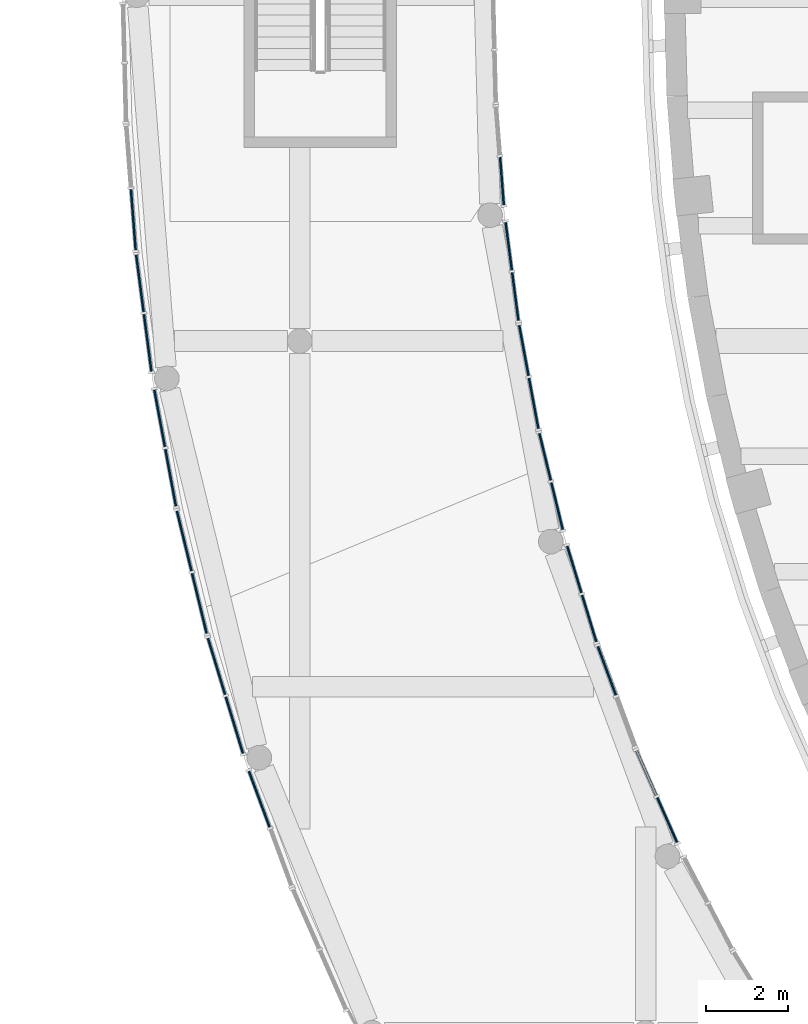
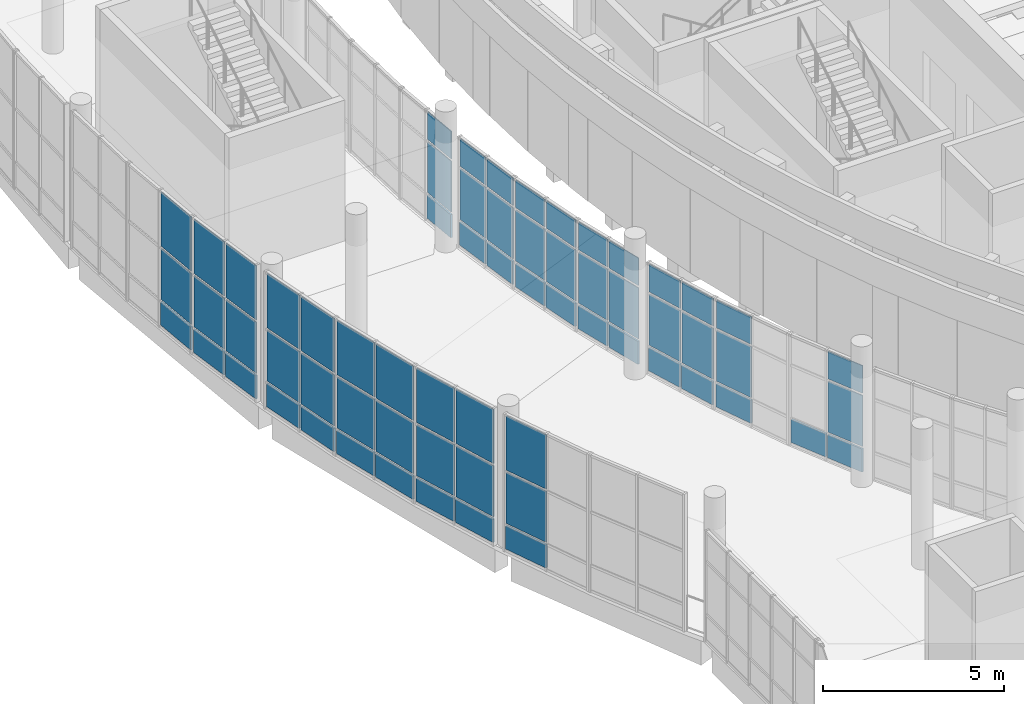
# One storey, part 46 of 119: 64 plates, 13 elements without a shape of their own.
"""IFC4 building model written with IfcOpenShell, lengths in metres."""

import ifcopenshell
import ifcopenshell.guid

model = None  # the IFC model being written
_history = None  # IfcOwnerHistory: only IFC2X3 demands one
_inside = {}  # id of a spatial element -> (the spatial element, [elements in it])
_under = {}  # id of a project, library or spatial element -> (it, [spatial elements below it])
_declared = {}  # id of a project -> (the project, [libraries it declares])
_typed = {}  # id of a type object -> (the type object, [elements of that type])
_made_of = {}  # id of a material, layer set ... -> (it, [elements and type objects made of it])


def new_model(schema):
    """Start an empty IFC model of exactly this schema.

    Asked for "IFC4X3", IfcOpenShell would pick the latest addendum, in which some entities
    have other attributes; the version numbers below select the first issue.
    IFC2X3 requires an IfcOwnerHistory on every rooted entity: one is made here for all.
    """
    global model, _history
    if schema == "IFC4X3":
        model = ifcopenshell.file(schema_version=(4, 3, 0, 0))
    else:
        model = ifcopenshell.file(schema=schema)
    _inside.clear()
    _under.clear()
    _declared.clear()
    _typed.clear()
    _made_of.clear()
    _history = None
    if model.schema == "IFC2X3":
        org = make("IfcOrganization", Name="unknown")
        user = make(
            "IfcPersonAndOrganization",
            ThePerson=make("IfcPerson", FamilyName="unknown"),
            TheOrganization=org,
        )
        app = make(
            "IfcApplication",
            ApplicationDeveloper=org,
            Version="unknown",
            ApplicationFullName="unknown",
            ApplicationIdentifier="unknown",
        )
        _history = make(
            "IfcOwnerHistory",
            OwningUser=user,
            OwningApplication=app,
            ChangeAction="ADDED",
            CreationDate=0,
        )
    return model


def make(cls, **values):
    """One entity of the class cls with the attributes given. An attribute that is None is left unset."""
    return model.create_entity(
        cls, **{name: value for name, value in values.items() if value is not None}
    )


def rooted(cls, **values):
    """An entity with a GlobalId (a new one), such as an element, a storey or a relation."""
    return make(cls, GlobalId=ifcopenshell.guid.new(), OwnerHistory=_history, **values)


def si_unit(unit_type, name, prefix=None):
    """IfcSIUnit, for example si_unit("LENGTHUNIT", "METRE", prefix="MILLI")."""
    return make("IfcSIUnit", UnitType=unit_type, Prefix=prefix, Name=name)


def assignment(units):
    """IfcUnitAssignment: the units of a project."""
    return None if units is None else make("IfcUnitAssignment", Units=units)


def point(xyz):
    """IfcCartesianPoint."""
    return None if xyz is None else make("IfcCartesianPoint", Coordinates=xyz)


def direction(xyz):
    """IfcDirection."""
    return None if xyz is None else make("IfcDirection", DirectionRatios=xyz)


def frame(location, z_axis=None, x_axis=None):
    """IfcAxis2Placement3D, a coordinate frame: its origin and axes. An axis left out is left unset."""
    return make(
        "IfcAxis2Placement3D",
        Location=point(location),
        Axis=direction(z_axis),
        RefDirection=direction(x_axis),
    )


def frame_2d(location, x_axis=None):
    """IfcAxis2Placement2D, a coordinate frame in the plane: its origin and x axis."""
    return make(
        "IfcAxis2Placement2D", Location=point(location), RefDirection=direction(x_axis)
    )


def origin():
    """The frame at (0, 0, 0) with its axes left unset."""
    return frame((0.0, 0.0, 0.0))


def origin_2d():
    """The frame at (0, 0) in the plane with its x axis left unset."""
    return frame_2d((0.0, 0.0))


def place(relative_to, where):
    """IfcLocalPlacement: puts the frame where relative to a parent placement (None: the world)."""
    return make(
        "IfcLocalPlacement", PlacementRelTo=relative_to, RelativePlacement=where
    )


def context(
    kind, dimensions, precision=None, world=None, true_north=None, identifier=None
):
    """IfcGeometricRepresentationContext, for example the 3D "Model" context."""
    return make(
        "IfcGeometricRepresentationContext",
        ContextIdentifier=identifier,
        ContextType=kind,
        CoordinateSpaceDimension=dimensions,
        Precision=precision,
        WorldCoordinateSystem=world,
        TrueNorth=true_north,
    )


def subcontext(parent, identifier, kind, view, scale=None):
    """IfcGeometricRepresentationSubContext, for example "Body" below "Model"."""
    return make(
        "IfcGeometricRepresentationSubContext",
        ContextIdentifier=identifier,
        ContextType=kind,
        ParentContext=parent,
        TargetScale=scale,
        TargetView=view,
    )


def project(units=None, contexts=None):
    """IfcProject with its units and contexts."""
    return rooted(
        "IfcProject",
        Name="project",
        RepresentationContexts=contexts,
        UnitsInContext=assignment(units),
    )


def spatial(cls, under=None, at=None, **own):
    """A site, building, storey or space (cls), placed at a placement, below another one or the project."""
    s = rooted(cls, ObjectPlacement=at, **own)
    if under is not None:
        _under.setdefault(under.id(), (under, []))[1].append(s)
    return s


def profile(cls, at=None, kind="AREA", **sizes):
    """A parametric profile (cls). Its sizes go by their IFC names, for example OverallWidth=200.0."""
    return make(cls, ProfileType=kind, Position=at, **sizes)


def rectangle(**sizes):
    """IfcRectangleProfileDef."""
    return profile("IfcRectangleProfileDef", **sizes)


def extrude(swept, where, along, depth):
    """IfcExtrudedAreaSolid: the profile swept, set in the frame where, extruded along a direction by depth."""
    return make(
        "IfcExtrudedAreaSolid",
        SweptArea=swept,
        Position=where,
        ExtrudedDirection=direction(along),
        Depth=depth,
    )


def shape(context_of_items, identifier, shape_type, items):
    """IfcShapeRepresentation: the items that make up one representation, for example the "Body"."""
    return make(
        "IfcShapeRepresentation",
        ContextOfItems=context_of_items,
        RepresentationIdentifier=identifier,
        RepresentationType=shape_type,
        Items=items,
    )


def material(Name=None, Category=None):
    """IfcMaterial."""
    return make("IfcMaterial", Name=Name, Category=Category)


def layer(
    of_material, thickness, ventilated=None, Name=None, Category=None, Priority=None
):
    """IfcMaterialLayer: one layer of a wall or slab, of a material (None: an air gap)."""
    return make(
        "IfcMaterialLayer",
        Material=of_material,
        LayerThickness=thickness,
        IsVentilated=ventilated,
        Name=Name,
        Category=Category,
        Priority=Priority,
    )


def layer_set(layers, Name=None):
    """IfcMaterialLayerSet."""
    return make("IfcMaterialLayerSet", MaterialLayers=layers, LayerSetName=Name)


def made_of(thing, what):
    """Note that an element or type object is made of a material, layer set ...; save() writes the relation."""
    if what is not None:
        _made_of.setdefault(what.id(), (what, []))[1].append(thing)
    return thing


def type_object(cls, material=None, **own):
    """A type object (cls), such as IfcWallType, which elements share."""
    return made_of(rooted(cls, **own), material)


def element(
    cls,
    number,
    at=None,
    inside=None,
    cuts=None,
    type_object=None,
    material=None,
    context=None,
    identifier="Body",
    shape_type=None,
    held_by="IfcProductDefinitionShape",
    body=None,
    shapes=None,
    **own,
):
    """One element of the class cls, such as IfcWall. Its Tag is "e" and its number.

    at: its placement. inside: the storey or other place that contains it. cuts: it is an
    opening in that element (IfcRelVoidsElement). A single representation is given by context,
    identifier, shape_type and body (its items); several are given by shapes. held_by: the class
    of the entity that holds the representations. save() writes the other relations.
    """
    e = rooted(cls, Tag="e%d" % number, ObjectPlacement=at, **own)
    if body is not None:
        shapes = [shape(context, identifier, shape_type, body)]
    if shapes is not None:
        e.Representation = make(held_by, Representations=shapes)
    if inside is not None:
        _inside.setdefault(inside.id(), (inside, []))[1].append(e)
    if cuts is not None:
        rooted(
            "IfcRelVoidsElement", RelatingBuildingElement=cuts, RelatedOpeningElement=e
        )
    if type_object is not None:
        _typed.setdefault(type_object.id(), (type_object, []))[1].append(e)
    return made_of(e, material)


def aggregate(whole, parts):
    """IfcRelAggregates: a whole, such as a stair, and the parts it consists of."""
    return rooted("IfcRelAggregates", RelatingObject=whole, RelatedObjects=parts)


def save(model, path):
    """Write the relations noted so far, then the file.

    IfcRelAggregates (storeys below a building ...), IfcRelContainedInSpatialStructure (elements
    in a storey), IfcRelDefinesByType, IfcRelAssociatesMaterial and IfcRelDeclares: one each for
    every whole, place, type object, material and project.
    """
    for whole, parts in _under.values():
        aggregate(whole, parts)
    for where, things in _inside.values():
        rooted(
            "IfcRelContainedInSpatialStructure",
            RelatedElements=things,
            RelatingStructure=where,
        )
    for kind, things in _typed.values():
        rooted("IfcRelDefinesByType", RelatedObjects=things, RelatingType=kind)
    for what, things in _made_of.values():
        rooted("IfcRelAssociatesMaterial", RelatedObjects=things, RelatingMaterial=what)
    for by, libraries in _declared.values():
        rooted("IfcRelDeclares", RelatingContext=by, RelatedDefinitions=libraries)
    model.write(path)


model = new_model("IFC4")

# Units and contexts
model_context = context("Model", 3, precision=1e-05, world=origin(), true_north=direction((0.0, 1.0)))
body_context = subcontext(model_context, "Body", "Model", "MODEL_VIEW")
ifc_project = project(units=[si_unit("LENGTHUNIT", "METRE"), si_unit("AREAUNIT", "SQUARE_METRE"), si_unit("VOLUMEUNIT", "CUBIC_METRE"), si_unit("PLANEANGLEUNIT", "RADIAN"), si_unit("MASSUNIT", "GRAM", prefix="KILO")], contexts=[model_context])

# Site, building, storey
site_placement = place(None, origin())
site = spatial("IfcSite", under=ifc_project, at=site_placement, CompositionType="ELEMENT")
building_placement = place(site_placement, origin())
building = spatial("IfcBuilding", under=site, at=building_placement, Name="Larchfold Concert Hall", CompositionType="ELEMENT")
storey_placement = place(building_placement, frame((0.0, 0.0, 4.800048828125)))
storey = spatial("IfcBuildingStorey", under=building, at=storey_placement, Name="L01", CompositionType="ELEMENT", Elevation=4.800048828125)

# Curtain wall, plates
ifc_material_1 = material(Name="Anodised graphite aluminium curtain wall", Category="aluminium")
ifc_layer_1 = layer(ifc_material_1, 0.14990234375)
ifc_layer_set_1 = layer_set([ifc_layer_1], Name="Anodised graphite aluminium curtain wall")
curtain_wall_type = type_object("IfcCurtainWallType", Name="Curtain wall WG", PredefinedType="NOTDEFINED", material=ifc_layer_set_1)
curtain_wall_1_placement = place(storey_placement, origin())
curtain_wall_1 = element("IfcCurtainWall", 1, at=curtain_wall_1_placement, inside=storey, type_object=curtain_wall_type, Name="Curtain wall CW0139", PredefinedType="NOTDEFINED")
ifc_material_2 = material(Name="Insulated glazing unit, glass", Category="glass")
ifc_layer_2 = layer(ifc_material_2, 0.028076171875)
ifc_layer_set_2 = layer_set([ifc_layer_2], Name="Insulated glazing unit, glass")
plate_type_1 = type_object("IfcPlateType", Name="Glass panel 28", PredefinedType="CURTAIN_PANEL", material=ifc_layer_set_2)
plate_1_placement = place(storey_placement, frame((17.924072265625, 64.565673828125, 0.93994140625), z_axis=(0.0, 0.0, 1.0), x_axis=(-0.40402618995, 0.914747417506, 0.0)))
plate_1 = element("IfcPlate", 2, at=plate_1_placement, type_object=plate_type_1, Name="CW0139 panel 1.2", PredefinedType="CURTAIN_PANEL", context=body_context, shape_type="SweptSolid", body=[
    extrude(rectangle(XDim=1.186767578125, YDim=0.028076171875, at=origin_2d()), origin(), (0.0, 0.0, 1.0), 1.719970703125),
])
plate_2_placement = place(storey_placement, frame((17.924072265625, 64.565673828125, 2.740234375), z_axis=(0.0, 0.0, 1.0), x_axis=(-0.40402618995, 0.914747417506, 0.0)))
plate_2 = element("IfcPlate", 3, at=plate_2_placement, type_object=plate_type_1, Name="CW0139 panel 1.3", PredefinedType="CURTAIN_PANEL", context=body_context, shape_type="SweptSolid", body=[
    extrude(rectangle(XDim=1.186767578125, YDim=0.028076171875, at=origin_2d()), origin(), (0.0, 0.0, 1.0), 0.929931640625),
])

curtain_wall_2_placement = place(storey_placement, origin())
curtain_wall_2 = element("IfcCurtainWall", 4, at=curtain_wall_2_placement, inside=storey, type_object=curtain_wall_type, Name="Curtain wall CW0140", PredefinedType="NOTDEFINED")
plate_3_placement = place(storey_placement, frame((16.45947265625, 68.189697265625, 0.93994140625), z_axis=(0.0, 0.0, 1.0), x_axis=(-0.346631119, 0.938001528432, 0.0)))
plate_3 = element("IfcPlate", 5, at=plate_3_placement, type_object=plate_type_1, Name="CW0140 panel 2.2", PredefinedType="CURTAIN_PANEL", context=body_context, shape_type="SweptSolid", body=[
    extrude(rectangle(XDim=1.26025390625, YDim=0.028076171875, at=origin_2d()), origin(), (0.0, 0.0, 1.0), 1.719970703125),
])
plate_4_placement = place(storey_placement, frame((16.45947265625, 68.189697265625, 2.740234375), z_axis=(0.0, 0.0, 1.0), x_axis=(-0.346631119, 0.938001528432, 0.0)))
plate_4 = element("IfcPlate", 6, at=plate_4_placement, type_object=plate_type_1, Name="CW0140 panel 2.3", PredefinedType="CURTAIN_PANEL", context=body_context, shape_type="SweptSolid", body=[
    extrude(rectangle(XDim=1.26025390625, YDim=0.028076171875, at=origin_2d()), origin(), (0.0, 0.0, 1.0), 0.929931640625),
])

curtain_wall_3_placement = place(storey_placement, origin())
curtain_wall_3 = element("IfcCurtainWall", 7, at=curtain_wall_3_placement, inside=storey, type_object=curtain_wall_type, Name="Curtain wall CW0141", PredefinedType="NOTDEFINED")
plate_5_placement = place(storey_placement, frame((16.03076171875, 69.461181640625, 0.93994140625), z_axis=(0.0, 0.0, 1.0), x_axis=(-0.290544233044, 0.956861561902, 0.0)))
plate_5 = element("IfcPlate", 8, at=plate_5_placement, type_object=plate_type_1, Name="CW0141 panel 1.2", PredefinedType="CURTAIN_PANEL", context=body_context, shape_type="SweptSolid", body=[
    extrude(rectangle(XDim=1.184814453125, YDim=0.028076171875, at=origin_2d()), origin(), (0.0, 0.0, 1.0), 1.719970703125),
])
plate_6_placement = place(storey_placement, frame((16.03076171875, 69.461181640625, 2.740234375), z_axis=(0.0, 0.0, 1.0), x_axis=(-0.290544233044, 0.956861561902, 0.0)))
plate_6 = element("IfcPlate", 9, at=plate_6_placement, type_object=plate_type_1, Name="CW0141 panel 1.3", PredefinedType="CURTAIN_PANEL", context=body_context, shape_type="SweptSolid", body=[
    extrude(rectangle(XDim=1.184814453125, YDim=0.028076171875, at=origin_2d()), origin(), (0.0, 0.0, 1.0), 0.929931640625),
])
plate_7_placement = place(storey_placement, frame((15.6689453125, 70.652099609375, 0.93994140625), z_axis=(0.0, 0.0, 1.0), x_axis=(-0.290544233044, 0.956861561902, 0.0)))
plate_7 = element("IfcPlate", 10, at=plate_7_placement, type_object=plate_type_1, Name="CW0141 panel 2.2", PredefinedType="CURTAIN_PANEL", context=body_context, shape_type="SweptSolid", body=[
    extrude(rectangle(XDim=1.184814453125, YDim=0.028076171875, at=origin_2d()), origin(), (0.0, 0.0, 1.0), 1.719970703125),
])
plate_8_placement = place(storey_placement, frame((15.6689453125, 70.652099609375, 2.740234375), z_axis=(0.0, 0.0, 1.0), x_axis=(-0.290544233044, 0.956861561902, 0.0)))
plate_8 = element("IfcPlate", 11, at=plate_8_placement, type_object=plate_type_1, Name="CW0141 panel 2.3", PredefinedType="CURTAIN_PANEL", context=body_context, shape_type="SweptSolid", body=[
    extrude(rectangle(XDim=1.184814453125, YDim=0.028076171875, at=origin_2d()), origin(), (0.0, 0.0, 1.0), 0.929931640625),
])

curtain_wall_4_placement = place(storey_placement, origin())
curtain_wall_4 = element("IfcCurtainWall", 12, at=curtain_wall_4_placement, inside=storey, type_object=curtain_wall_type, Name="Curtain wall CW0142", PredefinedType="NOTDEFINED")
plate_9_placement = place(storey_placement, frame((15.24951171875, 72.18994140625, 0.93994140625), z_axis=(0.0, 0.0, 1.0), x_axis=(-0.235946390347, 0.971766073128, 0.0)))
plate_9 = element("IfcPlate", 13, at=plate_9_placement, type_object=plate_type_1, Name="CW0142 panel 1.2", PredefinedType="CURTAIN_PANEL", context=body_context, shape_type="SweptSolid", body=[
    extrude(rectangle(XDim=1.1708984375, YDim=0.028076171875, at=origin_2d()), origin(), (0.0, 0.0, 1.0), 1.719970703125),
])
plate_10_placement = place(storey_placement, frame((15.24951171875, 72.18994140625, 2.740234375), z_axis=(0.0, 0.0, 1.0), x_axis=(-0.235946390347, 0.971766073128, 0.0)))
plate_10 = element("IfcPlate", 14, at=plate_10_placement, type_object=plate_type_1, Name="CW0142 panel 1.3", PredefinedType="CURTAIN_PANEL", context=body_context, shape_type="SweptSolid", body=[
    extrude(rectangle(XDim=1.1708984375, YDim=0.028076171875, at=origin_2d()), origin(), (0.0, 0.0, 1.0), 0.929931640625),
])
plate_11_placement = place(storey_placement, frame((14.959228515625, 73.385986328125, 0.93994140625), z_axis=(0.0, 0.0, 1.0), x_axis=(-0.235946390347, 0.971766073128, 0.0)))
plate_11 = element("IfcPlate", 15, at=plate_11_placement, type_object=plate_type_1, Name="CW0142 panel 2.2", PredefinedType="CURTAIN_PANEL", context=body_context, shape_type="SweptSolid", body=[
    extrude(rectangle(XDim=1.1708984375, YDim=0.028076171875, at=origin_2d()), origin(), (0.0, 0.0, 1.0), 1.719970703125),
])
plate_12_placement = place(storey_placement, frame((14.959228515625, 73.385986328125, 2.740234375), z_axis=(0.0, 0.0, 1.0), x_axis=(-0.235946390347, 0.971766073128, 0.0)))
plate_12 = element("IfcPlate", 16, at=plate_12_placement, type_object=plate_type_1, Name="CW0142 panel 2.3", PredefinedType="CURTAIN_PANEL", context=body_context, shape_type="SweptSolid", body=[
    extrude(rectangle(XDim=1.1708984375, YDim=0.028076171875, at=origin_2d()), origin(), (0.0, 0.0, 1.0), 0.929931640625),
])

curtain_wall_5_placement = place(storey_placement, origin())
curtain_wall_5 = element("IfcCurtainWall", 17, at=curtain_wall_5_placement, inside=storey, type_object=curtain_wall_type, Name="Curtain wall CW0143", PredefinedType="NOTDEFINED")
plate_13_placement = place(storey_placement, frame((14.682373046875, 74.6845703125, 0.93994140625), z_axis=(0.0, 0.0, 1.0), x_axis=(-0.182390289896, 0.983226211079, 0.0)))
plate_13 = element("IfcPlate", 18, at=plate_13_placement, type_object=plate_type_1, Name="CW0143 panel 1.2", PredefinedType="CURTAIN_PANEL", context=body_context, shape_type="SweptSolid", body=[
    extrude(rectangle(XDim=1.245849609375, YDim=0.028076171875, at=origin_2d()), origin(), (0.0, 0.0, 1.0), 1.719970703125),
])
plate_14_placement = place(storey_placement, frame((14.682373046875, 74.6845703125, 2.740234375), z_axis=(0.0, 0.0, 1.0), x_axis=(-0.182390289896, 0.983226211079, 0.0)))
plate_14 = element("IfcPlate", 19, at=plate_14_placement, type_object=plate_type_1, Name="CW0143 panel 1.3", PredefinedType="CURTAIN_PANEL", context=body_context, shape_type="SweptSolid", body=[
    extrude(rectangle(XDim=1.245849609375, YDim=0.028076171875, at=origin_2d()), origin(), (0.0, 0.0, 1.0), 0.929931640625),
])
plate_15_placement = place(storey_placement, frame((14.444091796875, 75.96875, 0.93994140625), z_axis=(0.0, 0.0, 1.0), x_axis=(-0.182390289896, 0.983226211079, 0.0)))
plate_15 = element("IfcPlate", 20, at=plate_15_placement, type_object=plate_type_1, Name="CW0143 panel 2.2", PredefinedType="CURTAIN_PANEL", context=body_context, shape_type="SweptSolid", body=[
    extrude(rectangle(XDim=1.245849609375, YDim=0.028076171875, at=origin_2d()), origin(), (0.0, 0.0, 1.0), 1.719970703125),
])
plate_16_placement = place(storey_placement, frame((14.444091796875, 75.96875, 2.740234375), z_axis=(0.0, 0.0, 1.0), x_axis=(-0.182390289896, 0.983226211079, 0.0)))
plate_16 = element("IfcPlate", 21, at=plate_16_placement, type_object=plate_type_1, Name="CW0143 panel 2.3", PredefinedType="CURTAIN_PANEL", context=body_context, shape_type="SweptSolid", body=[
    extrude(rectangle(XDim=1.245849609375, YDim=0.028076171875, at=origin_2d()), origin(), (0.0, 0.0, 1.0), 0.929931640625),
])

curtain_wall_6_placement = place(storey_placement, origin())
curtain_wall_6 = element("IfcCurtainWall", 22, at=curtain_wall_6_placement, inside=storey, type_object=curtain_wall_type, Name="Curtain wall CW0144", PredefinedType="NOTDEFINED")
plate_17_placement = place(storey_placement, frame((14.23583984375, 77.2802734375, 0.93994140625), z_axis=(0.0, 0.0, 1.0), x_axis=(-0.129678428289, 0.991556102919, 0.0)))
plate_17 = element("IfcPlate", 23, at=plate_17_placement, type_object=plate_type_1, Name="CW0144 panel 1.2", PredefinedType="CURTAIN_PANEL", context=body_context, shape_type="SweptSolid", body=[
    extrude(rectangle(XDim=1.17138671875, YDim=0.028076171875, at=origin_2d()), origin(), (0.0, 0.0, 1.0), 1.719970703125),
])
plate_18_placement = place(storey_placement, frame((14.23583984375, 77.2802734375, 2.740234375), z_axis=(0.0, 0.0, 1.0), x_axis=(-0.129678428289, 0.991556102919, 0.0)))
plate_18 = element("IfcPlate", 24, at=plate_18_placement, type_object=plate_type_1, Name="CW0144 panel 1.3", PredefinedType="CURTAIN_PANEL", context=body_context, shape_type="SweptSolid", body=[
    extrude(rectangle(XDim=1.17138671875, YDim=0.028076171875, at=origin_2d()), origin(), (0.0, 0.0, 1.0), 0.929931640625),
])
plate_19_placement = place(storey_placement, frame((14.076171875, 78.50146484375, 0.93994140625), z_axis=(0.0, 0.0, 1.0), x_axis=(-0.129678428289, 0.991556102919, 0.0)))
plate_19 = element("IfcPlate", 25, at=plate_19_placement, type_object=plate_type_1, Name="CW0144 panel 2.2", PredefinedType="CURTAIN_PANEL", context=body_context, shape_type="SweptSolid", body=[
    extrude(rectangle(XDim=1.17138671875, YDim=0.028076171875, at=origin_2d()), origin(), (0.0, 0.0, 1.0), 1.719970703125),
])
plate_20_placement = place(storey_placement, frame((14.076171875, 78.50146484375, 2.740234375), z_axis=(0.0, 0.0, 1.0), x_axis=(-0.129678428289, 0.991556102919, 0.0)))
plate_20 = element("IfcPlate", 26, at=plate_20_placement, type_object=plate_type_1, Name="CW0144 panel 2.3", PredefinedType="CURTAIN_PANEL", context=body_context, shape_type="SweptSolid", body=[
    extrude(rectangle(XDim=1.17138671875, YDim=0.028076171875, at=origin_2d()), origin(), (0.0, 0.0, 1.0), 0.929931640625),
])

curtain_wall_7_placement = place(storey_placement, origin())
curtain_wall_7 = element("IfcCurtainWall", 27, at=curtain_wall_7_placement, inside=storey, type_object=curtain_wall_type, Name="Curtain wall CW0145", PredefinedType="NOTDEFINED")
plate_21_placement = place(storey_placement, frame((13.91162109375, 80.085205078125, 0.93994140625), z_axis=(0.0, 0.0, 1.0), x_axis=(-0.077547900972, 0.996988627345, 0.0)))
plate_21 = element("IfcPlate", 28, at=plate_21_placement, type_object=plate_type_1, Name="CW0145 panel 1.2", PredefinedType="CURTAIN_PANEL", context=body_context, shape_type="SweptSolid", body=[
    extrude(rectangle(XDim=1.159912109375, YDim=0.028076171875, at=origin_2d()), origin(), (0.0, 0.0, 1.0), 1.719970703125),
])
plate_22_placement = place(storey_placement, frame((13.91162109375, 80.085205078125, 2.740234375), z_axis=(0.0, 0.0, 1.0), x_axis=(-0.077547900972, 0.996988627345, 0.0)))
plate_22 = element("IfcPlate", 29, at=plate_22_placement, type_object=plate_type_1, Name="CW0145 panel 1.3", PredefinedType="CURTAIN_PANEL", context=body_context, shape_type="SweptSolid", body=[
    extrude(rectangle(XDim=1.159912109375, YDim=0.028076171875, at=origin_2d()), origin(), (0.0, 0.0, 1.0), 0.929931640625),
])

curtain_wall_8_placement = place(storey_placement, origin())
curtain_wall_8 = element("IfcCurtainWall", 30, at=curtain_wall_8_placement, inside=storey, type_object=curtain_wall_type, Name="Curtain wall CW0197", PredefinedType="NOTDEFINED")
plate_23_placement = place(storey_placement, frame((4.957275390625, 79.14697265625, 0.93994140625), z_axis=(0.0, 0.0, 1.0), x_axis=(0.077465260739, -0.996995051833, 0.0)))
plate_23 = element("IfcPlate", 31, at=plate_23_placement, type_object=plate_type_1, Name="CW0197 panel 2.2", PredefinedType="CURTAIN_PANEL", context=body_context, shape_type="SweptSolid", body=[
    extrude(rectangle(XDim=1.476318359375, YDim=0.028076171875, at=origin_2d()), origin(), (0.0, 0.0, 1.0), 1.719970703125),
])
plate_24_placement = place(storey_placement, frame((4.957275390625, 79.14697265625, 2.740234375), z_axis=(0.0, 0.0, 1.0), x_axis=(0.077465260739, -0.996995051833, 0.0)))
plate_24 = element("IfcPlate", 32, at=plate_24_placement, type_object=plate_type_1, Name="CW0197 panel 2.3", PredefinedType="CURTAIN_PANEL", context=body_context, shape_type="SweptSolid", body=[
    extrude(rectangle(XDim=1.476318359375, YDim=0.028076171875, at=origin_2d()), origin(), (0.0, 0.0, 1.0), 1.829833984375),
])

curtain_wall_9_placement = place(storey_placement, origin())
curtain_wall_9 = element("IfcCurtainWall", 33, at=curtain_wall_9_placement, inside=storey, type_object=curtain_wall_type, Name="Curtain wall CW0198", PredefinedType="NOTDEFINED")
plate_25_placement = place(storey_placement, frame((5.117431640625, 77.599365234375, 0.93994140625), z_axis=(0.0, 0.0, 1.0), x_axis=(0.129764014676, -0.99154490594, 0.0)))
plate_25 = element("IfcPlate", 34, at=plate_25_placement, type_object=plate_type_1, Name="CW0198 panel 1.2", PredefinedType="CURTAIN_PANEL", context=body_context, shape_type="SweptSolid", body=[
    extrude(rectangle(XDim=1.396240234375, YDim=0.028076171875, at=origin_2d()), origin(), (0.0, 0.0, 1.0), 1.719970703125),
])
plate_26_placement = place(storey_placement, frame((5.117431640625, 77.599365234375, 2.740234375), z_axis=(0.0, 0.0, 1.0), x_axis=(0.129764014676, -0.99154490594, 0.0)))
plate_26 = element("IfcPlate", 35, at=plate_26_placement, type_object=plate_type_1, Name="CW0198 panel 1.3", PredefinedType="CURTAIN_PANEL", context=body_context, shape_type="SweptSolid", body=[
    extrude(rectangle(XDim=1.396240234375, YDim=0.028076171875, at=origin_2d()), origin(), (0.0, 0.0, 1.0), 1.829833984375),
])
plate_27_placement = place(storey_placement, frame((5.306396484375, 76.1552734375, 0.93994140625), z_axis=(0.0, 0.0, 1.0), x_axis=(0.129764014676, -0.99154490594, 0.0)))
plate_27 = element("IfcPlate", 36, at=plate_27_placement, type_object=plate_type_1, Name="CW0198 panel 2.2", PredefinedType="CURTAIN_PANEL", context=body_context, shape_type="SweptSolid", body=[
    extrude(rectangle(XDim=1.396240234375, YDim=0.028076171875, at=origin_2d()), origin(), (0.0, 0.0, 1.0), 1.719970703125),
])
plate_28_placement = place(storey_placement, frame((5.306396484375, 76.1552734375, 2.740234375), z_axis=(0.0, 0.0, 1.0), x_axis=(0.129764014676, -0.99154490594, 0.0)))
plate_28 = element("IfcPlate", 37, at=plate_28_placement, type_object=plate_type_1, Name="CW0198 panel 2.3", PredefinedType="CURTAIN_PANEL", context=body_context, shape_type="SweptSolid", body=[
    extrude(rectangle(XDim=1.396240234375, YDim=0.028076171875, at=origin_2d()), origin(), (0.0, 0.0, 1.0), 1.829833984375),
])

curtain_wall_10_placement = place(storey_placement, origin())
curtain_wall_10 = element("IfcCurtainWall", 38, at=curtain_wall_10_placement, inside=storey, type_object=curtain_wall_type, Name="Curtain wall CW0199", PredefinedType="NOTDEFINED")
plate_29_placement = place(storey_placement, frame((5.59619140625, 74.321044921875, 0.93994140625), z_axis=(0.0, 0.0, 1.0), x_axis=(0.182366830535, -0.983230562544, 0.0)))
plate_29 = element("IfcPlate", 39, at=plate_29_placement, type_object=plate_type_1, Name="CW0199 panel 1.2", PredefinedType="CURTAIN_PANEL", context=body_context, shape_type="SweptSolid", body=[
    extrude(rectangle(XDim=1.406005859375, YDim=0.028076171875, at=origin_2d()), origin(), (0.0, 0.0, 1.0), 1.719970703125),
])
plate_30_placement = place(storey_placement, frame((5.59619140625, 74.321044921875, 2.740234375), z_axis=(0.0, 0.0, 1.0), x_axis=(0.182366830535, -0.983230562544, 0.0)))
plate_30 = element("IfcPlate", 40, at=plate_30_placement, type_object=plate_type_1, Name="CW0199 panel 1.3", PredefinedType="CURTAIN_PANEL", context=body_context, shape_type="SweptSolid", body=[
    extrude(rectangle(XDim=1.406005859375, YDim=0.028076171875, at=origin_2d()), origin(), (0.0, 0.0, 1.0), 1.829833984375),
])
plate_31_placement = place(storey_placement, frame((5.863525390625, 72.879638671875, 0.93994140625), z_axis=(0.0, 0.0, 1.0), x_axis=(0.182366830535, -0.983230562544, 0.0)))
plate_31 = element("IfcPlate", 41, at=plate_31_placement, type_object=plate_type_1, Name="CW0199 panel 2.2", PredefinedType="CURTAIN_PANEL", context=body_context, shape_type="SweptSolid", body=[
    extrude(rectangle(XDim=1.406005859375, YDim=0.028076171875, at=origin_2d()), origin(), (0.0, 0.0, 1.0), 1.719970703125),
])
plate_32_placement = place(storey_placement, frame((5.863525390625, 72.879638671875, 2.740234375), z_axis=(0.0, 0.0, 1.0), x_axis=(0.182366830535, -0.983230562544, 0.0)))
plate_32 = element("IfcPlate", 42, at=plate_32_placement, type_object=plate_type_1, Name="CW0199 panel 2.3", PredefinedType="CURTAIN_PANEL", context=body_context, shape_type="SweptSolid", body=[
    extrude(rectangle(XDim=1.406005859375, YDim=0.028076171875, at=origin_2d()), origin(), (0.0, 0.0, 1.0), 1.829833984375),
])

curtain_wall_11_placement = place(storey_placement, origin())
curtain_wall_11 = element("IfcCurtainWall", 43, at=curtain_wall_11_placement, inside=storey, type_object=curtain_wall_type, Name="Curtain wall CW0200", PredefinedType="NOTDEFINED")
plate_33_placement = place(storey_placement, frame((6.19384765625, 71.342041015625, 0.93994140625), z_axis=(0.0, 0.0, 1.0), x_axis=(0.235938309687, -0.97176803509, 0.0)))
plate_33 = element("IfcPlate", 44, at=plate_33_placement, type_object=plate_type_1, Name="CW0200 panel 1.2", PredefinedType="CURTAIN_PANEL", context=body_context, shape_type="SweptSolid", body=[
    extrude(rectangle(XDim=1.50048828125, YDim=0.028076171875, at=origin_2d()), origin(), (0.0, 0.0, 1.0), 1.719970703125),
])
plate_34_placement = place(storey_placement, frame((6.19384765625, 71.342041015625, 2.740234375), z_axis=(0.0, 0.0, 1.0), x_axis=(0.235938309687, -0.97176803509, 0.0)))
plate_34 = element("IfcPlate", 45, at=plate_34_placement, type_object=plate_type_1, Name="CW0200 panel 1.3", PredefinedType="CURTAIN_PANEL", context=body_context, shape_type="SweptSolid", body=[
    extrude(rectangle(XDim=1.50048828125, YDim=0.028076171875, at=origin_2d()), origin(), (0.0, 0.0, 1.0), 1.829833984375),
])
plate_35_placement = place(storey_placement, frame((6.56201171875, 69.82568359375, 0.93994140625), z_axis=(0.0, 0.0, 1.0), x_axis=(0.235938309687, -0.97176803509, 0.0)))
plate_35 = element("IfcPlate", 46, at=plate_35_placement, type_object=plate_type_1, Name="CW0200 panel 2.2", PredefinedType="CURTAIN_PANEL", context=body_context, shape_type="SweptSolid", body=[
    extrude(rectangle(XDim=1.50048828125, YDim=0.028076171875, at=origin_2d()), origin(), (0.0, 0.0, 1.0), 1.719970703125),
])
plate_36_placement = place(storey_placement, frame((6.56201171875, 69.82568359375, 2.740234375), z_axis=(0.0, 0.0, 1.0), x_axis=(0.235938309687, -0.97176803509, 0.0)))
plate_36 = element("IfcPlate", 47, at=plate_36_placement, type_object=plate_type_1, Name="CW0200 panel 2.3", PredefinedType="CURTAIN_PANEL", context=body_context, shape_type="SweptSolid", body=[
    extrude(rectangle(XDim=1.50048828125, YDim=0.028076171875, at=origin_2d()), origin(), (0.0, 0.0, 1.0), 1.829833984375),
])

curtain_wall_12_placement = place(storey_placement, origin())
curtain_wall_12 = element("IfcCurtainWall", 48, at=curtain_wall_12_placement, inside=storey, type_object=curtain_wall_type, Name="Curtain wall CW0201", PredefinedType="NOTDEFINED")
plate_37_placement = place(storey_placement, frame((6.978515625, 68.296142578125, 0.93994140625), z_axis=(0.0, 0.0, 1.0), x_axis=(0.29062197605, -0.956837952339, 0.0)))
plate_37 = element("IfcPlate", 49, at=plate_37_placement, type_object=plate_type_1, Name="CW0201 panel 1.2", PredefinedType="CURTAIN_PANEL", context=body_context, shape_type="SweptSolid", body=[
    extrude(rectangle(XDim=1.431396484375, YDim=0.028076171875, at=origin_2d()), origin(), (0.0, 0.0, 1.0), 1.719970703125),
])
plate_38_placement = place(storey_placement, frame((6.978515625, 68.296142578125, 2.740234375), z_axis=(0.0, 0.0, 1.0), x_axis=(0.29062197605, -0.956837952339, 0.0)))
plate_38 = element("IfcPlate", 50, at=plate_38_placement, type_object=plate_type_1, Name="CW0201 panel 1.3", PredefinedType="CURTAIN_PANEL", context=body_context, shape_type="SweptSolid", body=[
    extrude(rectangle(XDim=1.431396484375, YDim=0.028076171875, at=origin_2d()), origin(), (0.0, 0.0, 1.0), 1.829833984375),
])
plate_39_placement = place(storey_placement, frame((7.412109375, 66.869140625, 0.93994140625), z_axis=(0.0, 0.0, 1.0), x_axis=(0.29062197605, -0.956837952339, 0.0)))
plate_39 = element("IfcPlate", 51, at=plate_39_placement, type_object=plate_type_1, Name="CW0201 panel 2.2", PredefinedType="CURTAIN_PANEL", context=body_context, shape_type="SweptSolid", body=[
    extrude(rectangle(XDim=1.431396484375, YDim=0.028076171875, at=origin_2d()), origin(), (0.0, 0.0, 1.0), 1.719970703125),
])
plate_40_placement = place(storey_placement, frame((7.412109375, 66.869140625, 2.740234375), z_axis=(0.0, 0.0, 1.0), x_axis=(0.29062197605, -0.956837952339, 0.0)))
plate_40 = element("IfcPlate", 52, at=plate_40_placement, type_object=plate_type_1, Name="CW0201 panel 2.3", PredefinedType="CURTAIN_PANEL", context=body_context, shape_type="SweptSolid", body=[
    extrude(rectangle(XDim=1.431396484375, YDim=0.028076171875, at=origin_2d()), origin(), (0.0, 0.0, 1.0), 1.829833984375),
])

curtain_wall_13_placement = place(storey_placement, origin())
curtain_wall_13 = element("IfcCurtainWall", 53, at=curtain_wall_13_placement, inside=storey, type_object=curtain_wall_type, Name="Curtain wall CW0202", PredefinedType="NOTDEFINED")
plate_41_placement = place(storey_placement, frame((8.01708984375, 65.070556640625, 0.93994140625), z_axis=(0.0, 0.0, 1.0), x_axis=(0.346592402451, -0.938015834921, 0.0)))
plate_41 = element("IfcPlate", 54, at=plate_41_placement, type_object=plate_type_1, Name="CW0202 panel 1.2", PredefinedType="CURTAIN_PANEL", context=body_context, shape_type="SweptSolid", body=[
    extrude(rectangle(XDim=1.446533203125, YDim=0.028076171875, at=origin_2d()), origin(), (0.0, 0.0, 1.0), 1.719970703125),
])
plate_42_placement = place(storey_placement, frame((8.01708984375, 65.070556640625, 2.740234375), z_axis=(0.0, 0.0, 1.0), x_axis=(0.346592402451, -0.938015834921, 0.0)))
plate_42 = element("IfcPlate", 55, at=plate_42_placement, type_object=plate_type_1, Name="CW0202 panel 1.3", PredefinedType="CURTAIN_PANEL", context=body_context, shape_type="SweptSolid", body=[
    extrude(rectangle(XDim=1.446533203125, YDim=0.028076171875, at=origin_2d()), origin(), (0.0, 0.0, 1.0), 1.829833984375),
])

# Plate
ifc_material_3 = material(Name="White insulated panel")
ifc_layer_3 = layer(ifc_material_3, 0.06005859375)
ifc_layer_set_3 = layer_set([ifc_layer_3], Name="White insulated panel")
plate_type_2 = type_object("IfcPlateType", Name="Insulated spandrel panel 60", PredefinedType="CURTAIN_PANEL", material=ifc_layer_set_3)
plate_43_placement = place(storey_placement, frame((17.924072265625, 64.565673828125, 0.080078125), z_axis=(0.0, 0.0, 1.0), x_axis=(-0.40402618995, 0.914747417506, 0.0)))
plate_43 = element("IfcPlate", 56, at=plate_43_placement, type_object=plate_type_2, Name="CW0139 panel 1.1", PredefinedType="CURTAIN_PANEL", context=body_context, shape_type="SweptSolid", body=[
    extrude(rectangle(XDim=1.186767578125, YDim=0.06005859375, at=origin_2d()), origin(), (0.0, 0.0, 1.0), 0.77978515625),
])

plate_44_placement = place(storey_placement, frame((17.420166015625, 65.706298828125, 0.080078125), z_axis=(0.0, 0.0, 1.0), x_axis=(-0.40402618995, 0.914747417506, 0.0)))
plate_44 = element("IfcPlate", 57, at=plate_44_placement, type_object=plate_type_2, Name="CW0139 panel 2.1", PredefinedType="CURTAIN_PANEL", context=body_context, shape_type="SweptSolid", body=[
    extrude(rectangle(XDim=1.186767578125, YDim=0.06005859375, at=origin_2d()), origin(), (0.0, 0.0, 1.0), 0.77978515625),
])

aggregate(curtain_wall_1, [plate_43, plate_1, plate_2, plate_44])

plate_45_placement = place(storey_placement, frame((16.45947265625, 68.189697265625, 0.080078125), z_axis=(0.0, 0.0, 1.0), x_axis=(-0.346631119, 0.938001528432, 0.0)))
plate_45 = element("IfcPlate", 58, at=plate_45_placement, type_object=plate_type_2, Name="CW0140 panel 2.1", PredefinedType="CURTAIN_PANEL", context=body_context, shape_type="SweptSolid", body=[
    extrude(rectangle(XDim=1.26025390625, YDim=0.06005859375, at=origin_2d()), origin(), (0.0, 0.0, 1.0), 0.77978515625),
])

aggregate(curtain_wall_2, [plate_45, plate_3, plate_4])

plate_46_placement = place(storey_placement, frame((16.03076171875, 69.461181640625, 0.080078125), z_axis=(0.0, 0.0, 1.0), x_axis=(-0.290544233044, 0.956861561902, 0.0)))
plate_46 = element("IfcPlate", 59, at=plate_46_placement, type_object=plate_type_2, Name="CW0141 panel 1.1", PredefinedType="CURTAIN_PANEL", context=body_context, shape_type="SweptSolid", body=[
    extrude(rectangle(XDim=1.184814453125, YDim=0.06005859375, at=origin_2d()), origin(), (0.0, 0.0, 1.0), 0.77978515625),
])

plate_47_placement = place(storey_placement, frame((15.6689453125, 70.652099609375, 0.080078125), z_axis=(0.0, 0.0, 1.0), x_axis=(-0.290544233044, 0.956861561902, 0.0)))
plate_47 = element("IfcPlate", 60, at=plate_47_placement, type_object=plate_type_2, Name="CW0141 panel 2.1", PredefinedType="CURTAIN_PANEL", context=body_context, shape_type="SweptSolid", body=[
    extrude(rectangle(XDim=1.184814453125, YDim=0.06005859375, at=origin_2d()), origin(), (0.0, 0.0, 1.0), 0.77978515625),
])

aggregate(curtain_wall_3, [plate_46, plate_5, plate_6, plate_47, plate_7, plate_8])

plate_48_placement = place(storey_placement, frame((15.24951171875, 72.18994140625, 0.080078125), z_axis=(0.0, 0.0, 1.0), x_axis=(-0.235946390347, 0.971766073128, 0.0)))
plate_48 = element("IfcPlate", 61, at=plate_48_placement, type_object=plate_type_2, Name="CW0142 panel 1.1", PredefinedType="CURTAIN_PANEL", context=body_context, shape_type="SweptSolid", body=[
    extrude(rectangle(XDim=1.1708984375, YDim=0.06005859375, at=origin_2d()), origin(), (0.0, 0.0, 1.0), 0.77978515625),
])

plate_49_placement = place(storey_placement, frame((14.959228515625, 73.385986328125, 0.080078125), z_axis=(0.0, 0.0, 1.0), x_axis=(-0.235946390347, 0.971766073128, 0.0)))
plate_49 = element("IfcPlate", 62, at=plate_49_placement, type_object=plate_type_2, Name="CW0142 panel 2.1", PredefinedType="CURTAIN_PANEL", context=body_context, shape_type="SweptSolid", body=[
    extrude(rectangle(XDim=1.1708984375, YDim=0.06005859375, at=origin_2d()), origin(), (0.0, 0.0, 1.0), 0.77978515625),
])

aggregate(curtain_wall_4, [plate_48, plate_9, plate_10, plate_49, plate_11, plate_12])

plate_50_placement = place(storey_placement, frame((14.682373046875, 74.6845703125, 0.080078125), z_axis=(0.0, 0.0, 1.0), x_axis=(-0.182390289896, 0.983226211079, 0.0)))
plate_50 = element("IfcPlate", 63, at=plate_50_placement, type_object=plate_type_2, Name="CW0143 panel 1.1", PredefinedType="CURTAIN_PANEL", context=body_context, shape_type="SweptSolid", body=[
    extrude(rectangle(XDim=1.245849609375, YDim=0.06005859375, at=origin_2d()), origin(), (0.0, 0.0, 1.0), 0.77978515625),
])

plate_51_placement = place(storey_placement, frame((14.444091796875, 75.96875, 0.080078125), z_axis=(0.0, 0.0, 1.0), x_axis=(-0.182390289896, 0.983226211079, 0.0)))
plate_51 = element("IfcPlate", 64, at=plate_51_placement, type_object=plate_type_2, Name="CW0143 panel 2.1", PredefinedType="CURTAIN_PANEL", context=body_context, shape_type="SweptSolid", body=[
    extrude(rectangle(XDim=1.245849609375, YDim=0.06005859375, at=origin_2d()), origin(), (0.0, 0.0, 1.0), 0.77978515625),
])

aggregate(curtain_wall_5, [plate_50, plate_13, plate_14, plate_51, plate_15, plate_16])

plate_52_placement = place(storey_placement, frame((14.23583984375, 77.2802734375, 0.080078125), z_axis=(0.0, 0.0, 1.0), x_axis=(-0.129678428289, 0.991556102919, 0.0)))
plate_52 = element("IfcPlate", 65, at=plate_52_placement, type_object=plate_type_2, Name="CW0144 panel 1.1", PredefinedType="CURTAIN_PANEL", context=body_context, shape_type="SweptSolid", body=[
    extrude(rectangle(XDim=1.17138671875, YDim=0.06005859375, at=origin_2d()), origin(), (0.0, 0.0, 1.0), 0.77978515625),
])

plate_53_placement = place(storey_placement, frame((14.076171875, 78.50146484375, 0.080078125), z_axis=(0.0, 0.0, 1.0), x_axis=(-0.129678428289, 0.991556102919, 0.0)))
plate_53 = element("IfcPlate", 66, at=plate_53_placement, type_object=plate_type_2, Name="CW0144 panel 2.1", PredefinedType="CURTAIN_PANEL", context=body_context, shape_type="SweptSolid", body=[
    extrude(rectangle(XDim=1.17138671875, YDim=0.06005859375, at=origin_2d()), origin(), (0.0, 0.0, 1.0), 0.77978515625),
])

aggregate(curtain_wall_6, [plate_52, plate_17, plate_18, plate_53, plate_19, plate_20])

plate_54_placement = place(storey_placement, frame((13.91162109375, 80.085205078125, 0.080078125), z_axis=(0.0, 0.0, 1.0), x_axis=(-0.077547900972, 0.996988627345, 0.0)))
plate_54 = element("IfcPlate", 67, at=plate_54_placement, type_object=plate_type_2, Name="CW0145 panel 1.1", PredefinedType="CURTAIN_PANEL", context=body_context, shape_type="SweptSolid", body=[
    extrude(rectangle(XDim=1.159912109375, YDim=0.06005859375, at=origin_2d()), origin(), (0.0, 0.0, 1.0), 0.77978515625),
])

aggregate(curtain_wall_7, [plate_54, plate_21, plate_22])

plate_55_placement = place(storey_placement, frame((4.957275390625, 79.14697265625, 0.080078125), z_axis=(0.0, 0.0, 1.0), x_axis=(0.077465260739, -0.996995051833, 0.0)))
plate_55 = element("IfcPlate", 68, at=plate_55_placement, type_object=plate_type_2, Name="CW0197 panel 2.1", PredefinedType="CURTAIN_PANEL", context=body_context, shape_type="SweptSolid", body=[
    extrude(rectangle(XDim=1.476318359375, YDim=0.06005859375, at=origin_2d()), origin(), (0.0, 0.0, 1.0), 0.77978515625),
])

aggregate(curtain_wall_8, [plate_55, plate_23, plate_24])

plate_56_placement = place(storey_placement, frame((5.117431640625, 77.599365234375, 0.080078125), z_axis=(0.0, 0.0, 1.0), x_axis=(0.129764014676, -0.99154490594, 0.0)))
plate_56 = element("IfcPlate", 69, at=plate_56_placement, type_object=plate_type_2, Name="CW0198 panel 1.1", PredefinedType="CURTAIN_PANEL", context=body_context, shape_type="SweptSolid", body=[
    extrude(rectangle(XDim=1.396240234375, YDim=0.06005859375, at=origin_2d()), origin(), (0.0, 0.0, 1.0), 0.77978515625),
])

plate_57_placement = place(storey_placement, frame((5.306396484375, 76.1552734375, 0.080078125), z_axis=(0.0, 0.0, 1.0), x_axis=(0.129764014676, -0.99154490594, 0.0)))
plate_57 = element("IfcPlate", 70, at=plate_57_placement, type_object=plate_type_2, Name="CW0198 panel 2.1", PredefinedType="CURTAIN_PANEL", context=body_context, shape_type="SweptSolid", body=[
    extrude(rectangle(XDim=1.396240234375, YDim=0.06005859375, at=origin_2d()), origin(), (0.0, 0.0, 1.0), 0.77978515625),
])

aggregate(curtain_wall_9, [plate_56, plate_25, plate_26, plate_57, plate_27, plate_28])

plate_58_placement = place(storey_placement, frame((5.59619140625, 74.321044921875, 0.080078125), z_axis=(0.0, 0.0, 1.0), x_axis=(0.182366830535, -0.983230562544, 0.0)))
plate_58 = element("IfcPlate", 71, at=plate_58_placement, type_object=plate_type_2, Name="CW0199 panel 1.1", PredefinedType="CURTAIN_PANEL", context=body_context, shape_type="SweptSolid", body=[
    extrude(rectangle(XDim=1.406005859375, YDim=0.06005859375, at=origin_2d()), origin(), (0.0, 0.0, 1.0), 0.77978515625),
])

plate_59_placement = place(storey_placement, frame((5.863525390625, 72.879638671875, 0.080078125), z_axis=(0.0, 0.0, 1.0), x_axis=(0.182366830535, -0.983230562544, 0.0)))
plate_59 = element("IfcPlate", 72, at=plate_59_placement, type_object=plate_type_2, Name="CW0199 panel 2.1", PredefinedType="CURTAIN_PANEL", context=body_context, shape_type="SweptSolid", body=[
    extrude(rectangle(XDim=1.406005859375, YDim=0.06005859375, at=origin_2d()), origin(), (0.0, 0.0, 1.0), 0.77978515625),
])

aggregate(curtain_wall_10, [plate_58, plate_29, plate_30, plate_59, plate_31, plate_32])

plate_60_placement = place(storey_placement, frame((6.19384765625, 71.342041015625, 0.080078125), z_axis=(0.0, 0.0, 1.0), x_axis=(0.235938309687, -0.97176803509, 0.0)))
plate_60 = element("IfcPlate", 73, at=plate_60_placement, type_object=plate_type_2, Name="CW0200 panel 1.1", PredefinedType="CURTAIN_PANEL", context=body_context, shape_type="SweptSolid", body=[
    extrude(rectangle(XDim=1.50048828125, YDim=0.06005859375, at=origin_2d()), origin(), (0.0, 0.0, 1.0), 0.77978515625),
])

plate_61_placement = place(storey_placement, frame((6.56201171875, 69.82568359375, 0.080078125), z_axis=(0.0, 0.0, 1.0), x_axis=(0.235938309687, -0.97176803509, 0.0)))
plate_61 = element("IfcPlate", 74, at=plate_61_placement, type_object=plate_type_2, Name="CW0200 panel 2.1", PredefinedType="CURTAIN_PANEL", context=body_context, shape_type="SweptSolid", body=[
    extrude(rectangle(XDim=1.50048828125, YDim=0.06005859375, at=origin_2d()), origin(), (0.0, 0.0, 1.0), 0.77978515625),
])

aggregate(curtain_wall_11, [plate_60, plate_33, plate_34, plate_61, plate_35, plate_36])

plate_62_placement = place(storey_placement, frame((6.978515625, 68.296142578125, 0.080078125), z_axis=(0.0, 0.0, 1.0), x_axis=(0.29062197605, -0.956837952339, 0.0)))
plate_62 = element("IfcPlate", 75, at=plate_62_placement, type_object=plate_type_2, Name="CW0201 panel 1.1", PredefinedType="CURTAIN_PANEL", context=body_context, shape_type="SweptSolid", body=[
    extrude(rectangle(XDim=1.431396484375, YDim=0.06005859375, at=origin_2d()), origin(), (0.0, 0.0, 1.0), 0.77978515625),
])

plate_63_placement = place(storey_placement, frame((7.412109375, 66.869140625, 0.080078125), z_axis=(0.0, 0.0, 1.0), x_axis=(0.29062197605, -0.956837952339, 0.0)))
plate_63 = element("IfcPlate", 76, at=plate_63_placement, type_object=plate_type_2, Name="CW0201 panel 2.1", PredefinedType="CURTAIN_PANEL", context=body_context, shape_type="SweptSolid", body=[
    extrude(rectangle(XDim=1.431396484375, YDim=0.06005859375, at=origin_2d()), origin(), (0.0, 0.0, 1.0), 0.77978515625),
])

aggregate(curtain_wall_12, [plate_62, plate_37, plate_38, plate_63, plate_39, plate_40])

plate_64_placement = place(storey_placement, frame((8.01708984375, 65.070556640625, 0.080078125), z_axis=(0.0, 0.0, 1.0), x_axis=(0.346592402451, -0.938015834921, 0.0)))
plate_64 = element("IfcPlate", 77, at=plate_64_placement, type_object=plate_type_2, Name="CW0202 panel 1.1", PredefinedType="CURTAIN_PANEL", context=body_context, shape_type="SweptSolid", body=[
    extrude(rectangle(XDim=1.446533203125, YDim=0.06005859375, at=origin_2d()), origin(), (0.0, 0.0, 1.0), 0.77978515625),
])

aggregate(curtain_wall_13, [plate_64, plate_41, plate_42])

save(model, "model.ifc")
